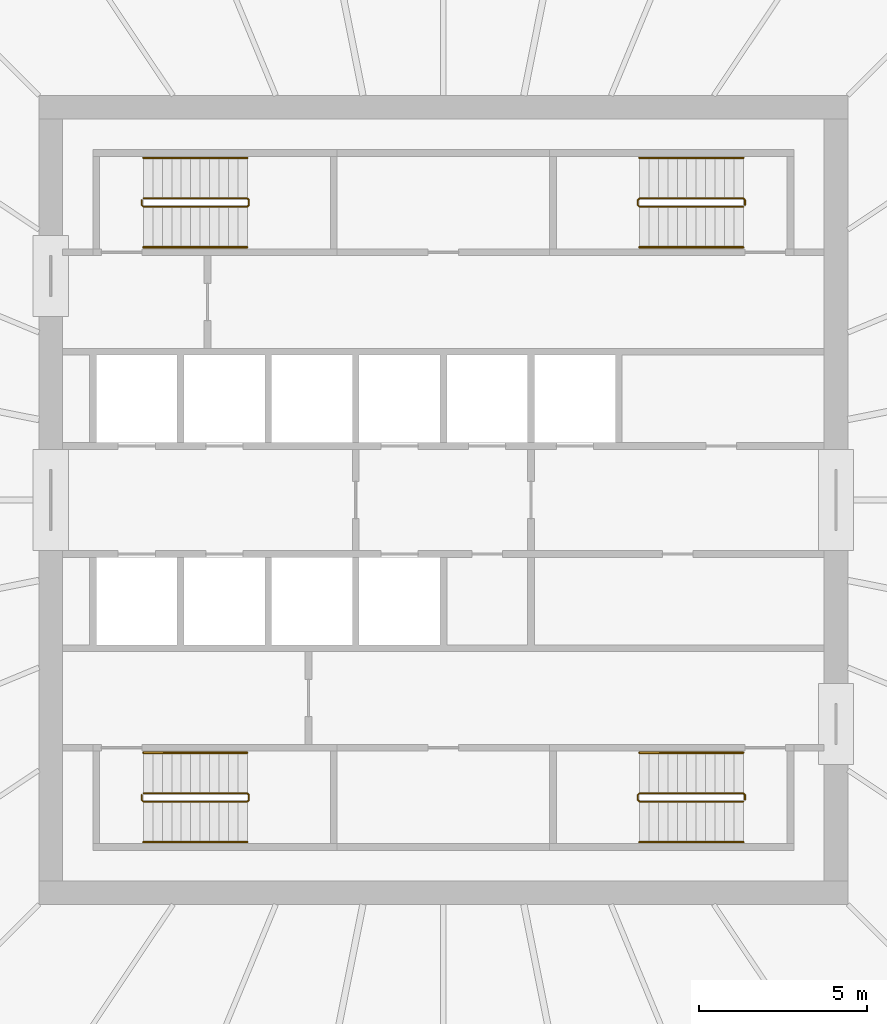
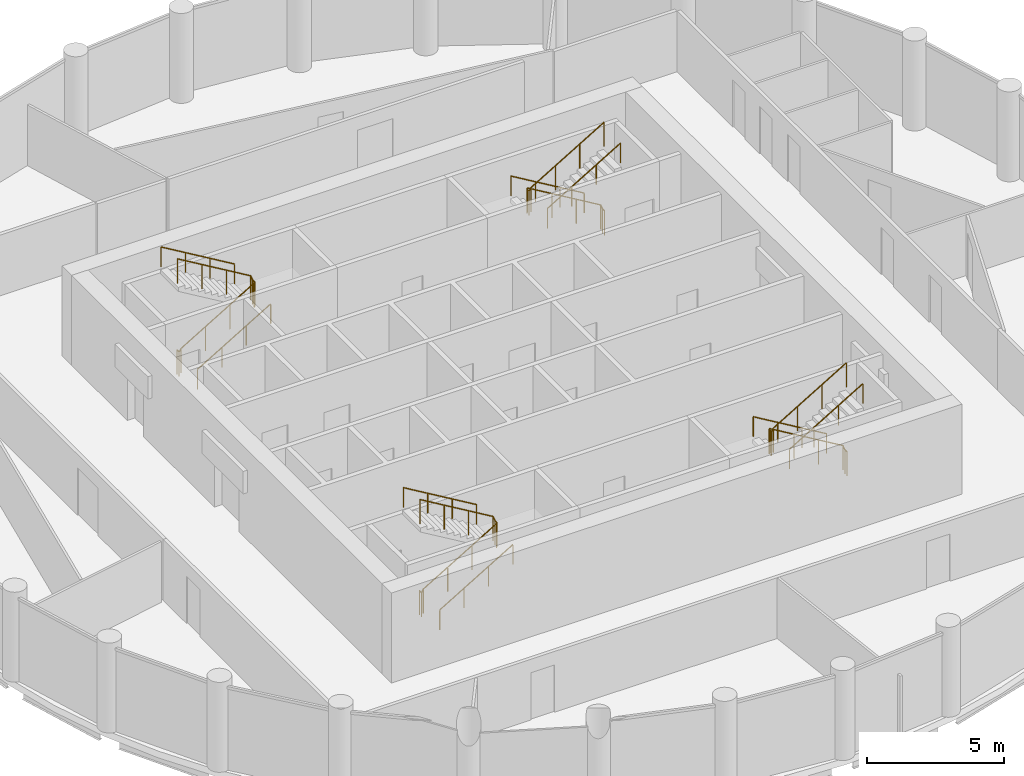
# One storey, part 7 of 7: 12 railings.
"""IFC4 building model written with IfcOpenShell, lengths in metres."""

import ifcopenshell
import ifcopenshell.guid

model = None  # the IFC model being written
_history = None  # IfcOwnerHistory: only IFC2X3 demands one
_inside = {}  # id of a spatial element -> (the spatial element, [elements in it])
_under = {}  # id of a project, library or spatial element -> (it, [spatial elements below it])
_declared = {}  # id of a project -> (the project, [libraries it declares])
_typed = {}  # id of a type object -> (the type object, [elements of that type])
_made_of = {}  # id of a material, layer set ... -> (it, [elements and type objects made of it])


def new_model(schema):
    """Start an empty IFC model of exactly this schema.

    Asked for "IFC4X3", IfcOpenShell would pick the latest addendum, in which some entities
    have other attributes; the version numbers below select the first issue.
    IFC2X3 requires an IfcOwnerHistory on every rooted entity: one is made here for all.
    """
    global model, _history
    if schema == "IFC4X3":
        model = ifcopenshell.file(schema_version=(4, 3, 0, 0))
    else:
        model = ifcopenshell.file(schema=schema)
    _inside.clear()
    _under.clear()
    _declared.clear()
    _typed.clear()
    _made_of.clear()
    _history = None
    if model.schema == "IFC2X3":
        org = make("IfcOrganization", Name="unknown")
        user = make(
            "IfcPersonAndOrganization",
            ThePerson=make("IfcPerson", FamilyName="unknown"),
            TheOrganization=org,
        )
        app = make(
            "IfcApplication",
            ApplicationDeveloper=org,
            Version="unknown",
            ApplicationFullName="unknown",
            ApplicationIdentifier="unknown",
        )
        _history = make(
            "IfcOwnerHistory",
            OwningUser=user,
            OwningApplication=app,
            ChangeAction="ADDED",
            CreationDate=0,
        )
    return model


def make(cls, **values):
    """One entity of the class cls with the attributes given. An attribute that is None is left unset."""
    return model.create_entity(
        cls, **{name: value for name, value in values.items() if value is not None}
    )


def rooted(cls, **values):
    """An entity with a GlobalId (a new one), such as an element, a storey or a relation."""
    return make(cls, GlobalId=ifcopenshell.guid.new(), OwnerHistory=_history, **values)


def si_unit(unit_type, name, prefix=None):
    """IfcSIUnit, for example si_unit("LENGTHUNIT", "METRE", prefix="MILLI")."""
    return make("IfcSIUnit", UnitType=unit_type, Prefix=prefix, Name=name)


def assignment(units):
    """IfcUnitAssignment: the units of a project."""
    return None if units is None else make("IfcUnitAssignment", Units=units)


def point(xyz):
    """IfcCartesianPoint."""
    return None if xyz is None else make("IfcCartesianPoint", Coordinates=xyz)


def direction(xyz):
    """IfcDirection."""
    return None if xyz is None else make("IfcDirection", DirectionRatios=xyz)


def frame(location, z_axis=None, x_axis=None):
    """IfcAxis2Placement3D, a coordinate frame: its origin and axes. An axis left out is left unset."""
    return make(
        "IfcAxis2Placement3D",
        Location=point(location),
        Axis=direction(z_axis),
        RefDirection=direction(x_axis),
    )


def frame_2d(location, x_axis=None):
    """IfcAxis2Placement2D, a coordinate frame in the plane: its origin and x axis."""
    return make(
        "IfcAxis2Placement2D", Location=point(location), RefDirection=direction(x_axis)
    )


def origin():
    """The frame at (0, 0, 0) with its axes left unset."""
    return frame((0.0, 0.0, 0.0))


def origin_2d():
    """The frame at (0, 0) in the plane with its x axis left unset."""
    return frame_2d((0.0, 0.0))


def place(relative_to, where):
    """IfcLocalPlacement: puts the frame where relative to a parent placement (None: the world)."""
    return make(
        "IfcLocalPlacement", PlacementRelTo=relative_to, RelativePlacement=where
    )


def context(
    kind, dimensions, precision=None, world=None, true_north=None, identifier=None
):
    """IfcGeometricRepresentationContext, for example the 3D "Model" context."""
    return make(
        "IfcGeometricRepresentationContext",
        ContextIdentifier=identifier,
        ContextType=kind,
        CoordinateSpaceDimension=dimensions,
        Precision=precision,
        WorldCoordinateSystem=world,
        TrueNorth=true_north,
    )


def subcontext(parent, identifier, kind, view, scale=None):
    """IfcGeometricRepresentationSubContext, for example "Body" below "Model"."""
    return make(
        "IfcGeometricRepresentationSubContext",
        ContextIdentifier=identifier,
        ContextType=kind,
        ParentContext=parent,
        TargetScale=scale,
        TargetView=view,
    )


def project(units=None, contexts=None):
    """IfcProject with its units and contexts."""
    return rooted(
        "IfcProject",
        Name="project",
        RepresentationContexts=contexts,
        UnitsInContext=assignment(units),
    )


def spatial(cls, under=None, at=None, **own):
    """A site, building, storey or space (cls), placed at a placement, below another one or the project."""
    s = rooted(cls, ObjectPlacement=at, **own)
    if under is not None:
        _under.setdefault(under.id(), (under, []))[1].append(s)
    return s


def profile(cls, at=None, kind="AREA", **sizes):
    """A parametric profile (cls). Its sizes go by their IFC names, for example OverallWidth=200.0."""
    return make(cls, ProfileType=kind, Position=at, **sizes)


def circle(**sizes):
    """IfcCircleProfileDef."""
    return profile("IfcCircleProfileDef", **sizes)


def extrude(swept, where, along, depth):
    """IfcExtrudedAreaSolid: the profile swept, set in the frame where, extruded along a direction by depth."""
    return make(
        "IfcExtrudedAreaSolid",
        SweptArea=swept,
        Position=where,
        ExtrudedDirection=direction(along),
        Depth=depth,
    )


def shape(context_of_items, identifier, shape_type, items):
    """IfcShapeRepresentation: the items that make up one representation, for example the "Body"."""
    return make(
        "IfcShapeRepresentation",
        ContextOfItems=context_of_items,
        RepresentationIdentifier=identifier,
        RepresentationType=shape_type,
        Items=items,
    )


def material(Name=None, Category=None):
    """IfcMaterial."""
    return make("IfcMaterial", Name=Name, Category=Category)


def made_of(thing, what):
    """Note that an element or type object is made of a material, layer set ...; save() writes the relation."""
    if what is not None:
        _made_of.setdefault(what.id(), (what, []))[1].append(thing)
    return thing


def type_object(cls, material=None, **own):
    """A type object (cls), such as IfcWallType, which elements share."""
    return made_of(rooted(cls, **own), material)


def element(
    cls,
    number,
    at=None,
    inside=None,
    cuts=None,
    type_object=None,
    material=None,
    context=None,
    identifier="Body",
    shape_type=None,
    held_by="IfcProductDefinitionShape",
    body=None,
    shapes=None,
    **own,
):
    """One element of the class cls, such as IfcWall. Its Tag is "e" and its number.

    at: its placement. inside: the storey or other place that contains it. cuts: it is an
    opening in that element (IfcRelVoidsElement). A single representation is given by context,
    identifier, shape_type and body (its items); several are given by shapes. held_by: the class
    of the entity that holds the representations. save() writes the other relations.
    """
    e = rooted(cls, Tag="e%d" % number, ObjectPlacement=at, **own)
    if body is not None:
        shapes = [shape(context, identifier, shape_type, body)]
    if shapes is not None:
        e.Representation = make(held_by, Representations=shapes)
    if inside is not None:
        _inside.setdefault(inside.id(), (inside, []))[1].append(e)
    if cuts is not None:
        rooted(
            "IfcRelVoidsElement", RelatingBuildingElement=cuts, RelatedOpeningElement=e
        )
    if type_object is not None:
        _typed.setdefault(type_object.id(), (type_object, []))[1].append(e)
    return made_of(e, material)


def aggregate(whole, parts):
    """IfcRelAggregates: a whole, such as a stair, and the parts it consists of."""
    return rooted("IfcRelAggregates", RelatingObject=whole, RelatedObjects=parts)


def save(model, path):
    """Write the relations noted so far, then the file.

    IfcRelAggregates (storeys below a building ...), IfcRelContainedInSpatialStructure (elements
    in a storey), IfcRelDefinesByType, IfcRelAssociatesMaterial and IfcRelDeclares: one each for
    every whole, place, type object, material and project.
    """
    for whole, parts in _under.values():
        aggregate(whole, parts)
    for where, things in _inside.values():
        rooted(
            "IfcRelContainedInSpatialStructure",
            RelatedElements=things,
            RelatingStructure=where,
        )
    for kind, things in _typed.values():
        rooted("IfcRelDefinesByType", RelatedObjects=things, RelatingType=kind)
    for what, things in _made_of.values():
        rooted("IfcRelAssociatesMaterial", RelatedObjects=things, RelatingMaterial=what)
    for by, libraries in _declared.values():
        rooted("IfcRelDeclares", RelatingContext=by, RelatedDefinitions=libraries)
    model.write(path)


model = new_model("IFC4")

# Units and contexts
model_context = context("Model", 3, precision=1e-05, world=origin(), true_north=direction((0.0, 1.0)))
body_context = subcontext(model_context, "Body", "Model", "MODEL_VIEW")
ifc_project = project(units=[si_unit("LENGTHUNIT", "METRE"), si_unit("AREAUNIT", "SQUARE_METRE"), si_unit("VOLUMEUNIT", "CUBIC_METRE"), si_unit("PLANEANGLEUNIT", "RADIAN"), si_unit("MASSUNIT", "GRAM", prefix="KILO")], contexts=[model_context])

# Site, building, storey
site_placement = place(None, origin())
site = spatial("IfcSite", under=ifc_project, at=site_placement, CompositionType="ELEMENT")
building_placement = place(site_placement, origin())
building = spatial("IfcBuilding", under=site, at=building_placement, Name="Corvane Civic Tower", CompositionType="ELEMENT")
storey_placement = place(building_placement, frame((0.0, 0.0, 291.0)))
storey = spatial("IfcBuildingStorey", under=building, at=storey_placement, Name="L69", CompositionType="ELEMENT", Elevation=291.0)

# Railings
ifc_material_1 = material(Name="Steel ASTM A572 Gr 50", Category="steel")
railing_type_1 = type_object("IfcRailingType", Name="ST-GUARD-1100", PredefinedType="GUARDRAIL", material=ifc_material_1)
railing_1_placement = place(storey_placement, frame((8.949951171875, 8.75, 0.0)))
element("IfcRailing", 1, at=railing_1_placement, inside=storey, type_object=railing_type_1, Name="L69 ST1 stair guard 1", PredefinedType="GUARDRAIL", context=body_context, shape_type="SweptSolid", body=[
    extrude(circle(Radius=0.02392578125, at=origin_2d()), frame((0.0, 0.0, 1.076171875), z_axis=(0.0, 1.0, 0.0), x_axis=(-1.0, 0.0, 0.0)), (0.0, 0.0, 1.0), 0.14990234375),
    extrude(circle(Radius=0.02392578125, at=origin_2d()), frame((0.0, 0.14990234375, 1.076171875), z_axis=(-0.27628659633, 0.27628659633, 0.920506074601), x_axis=(-0.707106781187, -0.707106781187, 0.0)), (0.0, 0.0, 1.0), 0.18115234375),
    extrude(circle(Radius=0.02392578125, at=origin_2d()), frame((-0.050048828125, 0.199951171875, 1.24267578125), z_axis=(-0.859290745958, 0.0, 0.51148745235), x_axis=(0.0, -1.0, 0.0)), (0.0, 0.0, 1.0), 3.584228515625),
    extrude(circle(Radius=0.02392578125, at=origin_2d()), frame((-3.1298828125, 0.199951171875, 3.076171875), z_axis=(-0.707106781187, -0.707106781187, 0.0), x_axis=(0.707106781187, -0.707106781187, 0.0)), (0.0, 0.0, 1.0), 0.07080078125),
    extrude(circle(Radius=0.02392578125, at=origin_2d()), frame((-3.179931640625, 0.14990234375, 3.076171875), z_axis=(0.0, -1.0, 0.0), x_axis=(1.0, 0.0, 0.0)), (0.0, 0.0, 1.0), 0.14990234375),
    extrude(circle(Radius=0.02392578125, at=origin_2d()), frame((-3.179931640625, 0.0, 3.076171875), z_axis=(0.27628659633, -0.27628659633, 0.920506074601), x_axis=(0.707106781187, 0.707106781187, 0.0)), (0.0, 0.0, 1.0), 0.18115234375),
    extrude(circle(Radius=0.02392578125, at=origin_2d()), frame((-3.1298828125, -0.050048828125, 3.24267578125), z_axis=(0.859290745958, 0.0, 0.51148745235), x_axis=(0.0, 1.0, 0.0)), (0.0, 0.0, 1.0), 3.584228515625),
    extrude(circle(Radius=0.02099609375, at=origin_2d()), origin(), (0.0, 0.0, 1.0), 1.052001953125),
    extrude(circle(Radius=0.02099609375, at=origin_2d()), frame((0.0, 0.14990234375, 0.0)), (0.0, 0.0, 1.0), 1.052001953125),
    extrude(circle(Radius=0.02099609375, at=origin_2d()), frame((-0.050048828125, 0.199951171875, 0.166748046875)), (0.0, 0.0, 1.0), 1.052001953125),
    extrude(circle(Radius=0.02099609375, at=origin_2d()), frame((-1.07666015625, 0.199951171875, 0.77783203125)), (0.0, 0.0, 1.0), 1.052001953125),
    extrude(circle(Radius=0.02099609375, at=origin_2d()), frame((-2.103271484375, 0.199951171875, 1.388916015625)), (0.0, 0.0, 1.0), 1.052001953125),
    extrude(circle(Radius=0.02099609375, at=origin_2d()), frame((-3.1298828125, 0.199951171875, 2.0)), (0.0, 0.0, 1.0), 1.052001953125),
    extrude(circle(Radius=0.02099609375, at=origin_2d()), frame((-3.179931640625, 0.14990234375, 2.0)), (0.0, 0.0, 1.0), 1.052001953125),
    extrude(circle(Radius=0.02099609375, at=origin_2d()), frame((-3.179931640625, 0.0, 2.0)), (0.0, 0.0, 1.0), 1.052001953125),
    extrude(circle(Radius=0.02099609375, at=origin_2d()), frame((-3.1298828125, -0.050048828125, 2.166748046875)), (0.0, 0.0, 1.0), 1.052001953125),
    extrude(circle(Radius=0.02099609375, at=origin_2d()), frame((-2.103271484375, -0.050048828125, 2.77783203125)), (0.0, 0.0, 1.0), 1.052001953125),
    extrude(circle(Radius=0.02099609375, at=origin_2d()), frame((-1.07666015625, -0.050048828125, 3.388916015625)), (0.0, 0.0, 1.0), 1.052001953125),
    extrude(circle(Radius=0.02099609375, at=origin_2d()), frame((-0.050048828125, -0.050048828125, 4.0)), (0.0, 0.0, 1.0), 1.052001953125),
])
railing_2_placement = place(storey_placement, frame((8.949951171875, -8.89990234375, 0.0)))
element("IfcRailing", 2, at=railing_2_placement, inside=storey, type_object=railing_type_1, Name="L69 ST2 stair guard 1", PredefinedType="GUARDRAIL", context=body_context, shape_type="SweptSolid", body=[
    extrude(circle(Radius=0.02392578125, at=origin_2d()), frame((0.0, 0.0, 1.076171875), z_axis=(0.0, 1.0, 0.0), x_axis=(-1.0, 0.0, 0.0)), (0.0, 0.0, 1.0), 0.14990234375),
    extrude(circle(Radius=0.02392578125, at=origin_2d()), frame((0.0, 0.14990234375, 1.076171875), z_axis=(-0.27628659633, 0.27628659633, 0.920506074601), x_axis=(-0.707106781187, -0.707106781187, 0.0)), (0.0, 0.0, 1.0), 0.18115234375),
    extrude(circle(Radius=0.02392578125, at=origin_2d()), frame((-0.050048828125, 0.199951171875, 1.24267578125), z_axis=(-0.859290745958, 0.0, 0.51148745235), x_axis=(0.0, -1.0, 0.0)), (0.0, 0.0, 1.0), 3.584228515625),
    extrude(circle(Radius=0.02392578125, at=origin_2d()), frame((-3.1298828125, 0.199951171875, 3.076171875), z_axis=(-0.707106781187, -0.707106781187, 0.0), x_axis=(0.707106781187, -0.707106781187, 0.0)), (0.0, 0.0, 1.0), 0.07080078125),
    extrude(circle(Radius=0.02392578125, at=origin_2d()), frame((-3.179931640625, 0.14990234375, 3.076171875), z_axis=(0.0, -1.0, 0.0), x_axis=(1.0, 0.0, 0.0)), (0.0, 0.0, 1.0), 0.14990234375),
    extrude(circle(Radius=0.02392578125, at=origin_2d()), frame((-3.179931640625, 0.0, 3.076171875), z_axis=(0.27628659633, -0.27628659633, 0.920506074601), x_axis=(0.707106781187, 0.707106781187, 0.0)), (0.0, 0.0, 1.0), 0.18115234375),
    extrude(circle(Radius=0.02392578125, at=origin_2d()), frame((-3.1298828125, -0.050048828125, 3.24267578125), z_axis=(0.859290745958, 0.0, 0.51148745235), x_axis=(0.0, 1.0, 0.0)), (0.0, 0.0, 1.0), 3.584228515625),
    extrude(circle(Radius=0.02099609375, at=origin_2d()), origin(), (0.0, 0.0, 1.0), 1.052001953125),
    extrude(circle(Radius=0.02099609375, at=origin_2d()), frame((0.0, 0.14990234375, 0.0)), (0.0, 0.0, 1.0), 1.052001953125),
    extrude(circle(Radius=0.02099609375, at=origin_2d()), frame((-0.050048828125, 0.199951171875, 0.166748046875)), (0.0, 0.0, 1.0), 1.052001953125),
    extrude(circle(Radius=0.02099609375, at=origin_2d()), frame((-1.07666015625, 0.199951171875, 0.77783203125)), (0.0, 0.0, 1.0), 1.052001953125),
    extrude(circle(Radius=0.02099609375, at=origin_2d()), frame((-2.103271484375, 0.199951171875, 1.388916015625)), (0.0, 0.0, 1.0), 1.052001953125),
    extrude(circle(Radius=0.02099609375, at=origin_2d()), frame((-3.1298828125, 0.199951171875, 2.0)), (0.0, 0.0, 1.0), 1.052001953125),
    extrude(circle(Radius=0.02099609375, at=origin_2d()), frame((-3.179931640625, 0.14990234375, 2.0)), (0.0, 0.0, 1.0), 1.052001953125),
    extrude(circle(Radius=0.02099609375, at=origin_2d()), frame((-3.179931640625, 0.0, 2.0)), (0.0, 0.0, 1.0), 1.052001953125),
    extrude(circle(Radius=0.02099609375, at=origin_2d()), frame((-3.1298828125, -0.050048828125, 2.166748046875)), (0.0, 0.0, 1.0), 1.052001953125),
    extrude(circle(Radius=0.02099609375, at=origin_2d()), frame((-2.103271484375, -0.050048828125, 2.77783203125)), (0.0, 0.0, 1.0), 1.052001953125),
    extrude(circle(Radius=0.02099609375, at=origin_2d()), frame((-1.07666015625, -0.050048828125, 3.388916015625)), (0.0, 0.0, 1.0), 1.052001953125),
    extrude(circle(Radius=0.02099609375, at=origin_2d()), frame((-0.050048828125, -0.050048828125, 4.0)), (0.0, 0.0, 1.0), 1.052001953125),
])
railing_3_placement = place(storey_placement, frame((-8.949951171875, -8.75, 0.0)))
element("IfcRailing", 3, at=railing_3_placement, inside=storey, type_object=railing_type_1, Name="L69 ST3 stair guard 1", PredefinedType="GUARDRAIL", context=body_context, shape_type="SweptSolid", body=[
    extrude(circle(Radius=0.02392578125, at=origin_2d()), frame((0.0, 0.0, 1.076171875), z_axis=(0.0, -1.0, 0.0), x_axis=(1.0, 0.0, 0.0)), (0.0, 0.0, 1.0), 0.14990234375),
    extrude(circle(Radius=0.02392578125, at=origin_2d()), frame((0.0, -0.14990234375, 1.076171875), z_axis=(0.27628659633, -0.27628659633, 0.920506074601), x_axis=(0.707106781187, 0.707106781187, 0.0)), (0.0, 0.0, 1.0), 0.18115234375),
    extrude(circle(Radius=0.02392578125, at=origin_2d()), frame((0.050048828125, -0.199951171875, 1.24267578125), z_axis=(0.859290745958, 0.0, 0.51148745235), x_axis=(0.0, 1.0, 0.0)), (0.0, 0.0, 1.0), 3.584228515625),
    extrude(circle(Radius=0.02392578125, at=origin_2d()), frame((3.1298828125, -0.199951171875, 3.076171875), z_axis=(0.707106781187, 0.707106781187, 0.0), x_axis=(-0.707106781187, 0.707106781187, 0.0)), (0.0, 0.0, 1.0), 0.07080078125),
    extrude(circle(Radius=0.02392578125, at=origin_2d()), frame((3.179931640625, -0.14990234375, 3.076171875), z_axis=(0.0, 1.0, 0.0), x_axis=(-1.0, 0.0, 0.0)), (0.0, 0.0, 1.0), 0.14990234375),
    extrude(circle(Radius=0.02392578125, at=origin_2d()), frame((3.179931640625, 0.0, 3.076171875), z_axis=(-0.27628659633, 0.27628659633, 0.920506074601), x_axis=(-0.707106781187, -0.707106781187, 0.0)), (0.0, 0.0, 1.0), 0.18115234375),
    extrude(circle(Radius=0.02392578125, at=origin_2d()), frame((3.1298828125, 0.050048828125, 3.24267578125), z_axis=(-0.859290745958, 0.0, 0.51148745235), x_axis=(0.0, -1.0, 0.0)), (0.0, 0.0, 1.0), 3.584228515625),
    extrude(circle(Radius=0.02099609375, at=origin_2d()), origin(), (0.0, 0.0, 1.0), 1.052001953125),
    extrude(circle(Radius=0.02099609375, at=origin_2d()), frame((0.0, -0.14990234375, 0.0)), (0.0, 0.0, 1.0), 1.052001953125),
    extrude(circle(Radius=0.02099609375, at=origin_2d()), frame((0.050048828125, -0.199951171875, 0.166748046875)), (0.0, 0.0, 1.0), 1.052001953125),
    extrude(circle(Radius=0.02099609375, at=origin_2d()), frame((1.07666015625, -0.199951171875, 0.77783203125)), (0.0, 0.0, 1.0), 1.052001953125),
    extrude(circle(Radius=0.02099609375, at=origin_2d()), frame((2.103271484375, -0.199951171875, 1.388916015625)), (0.0, 0.0, 1.0), 1.052001953125),
    extrude(circle(Radius=0.02099609375, at=origin_2d()), frame((3.1298828125, -0.199951171875, 2.0)), (0.0, 0.0, 1.0), 1.052001953125),
    extrude(circle(Radius=0.02099609375, at=origin_2d()), frame((3.179931640625, -0.14990234375, 2.0)), (0.0, 0.0, 1.0), 1.052001953125),
    extrude(circle(Radius=0.02099609375, at=origin_2d()), frame((3.179931640625, 0.0, 2.0)), (0.0, 0.0, 1.0), 1.052001953125),
    extrude(circle(Radius=0.02099609375, at=origin_2d()), frame((3.1298828125, 0.050048828125, 2.166748046875)), (0.0, 0.0, 1.0), 1.052001953125),
    extrude(circle(Radius=0.02099609375, at=origin_2d()), frame((2.103271484375, 0.050048828125, 2.77783203125)), (0.0, 0.0, 1.0), 1.052001953125),
    extrude(circle(Radius=0.02099609375, at=origin_2d()), frame((1.07666015625, 0.050048828125, 3.388916015625)), (0.0, 0.0, 1.0), 1.052001953125),
    extrude(circle(Radius=0.02099609375, at=origin_2d()), frame((0.050048828125, 0.050048828125, 4.0)), (0.0, 0.0, 1.0), 1.052001953125),
])
railing_4_placement = place(storey_placement, frame((-8.949951171875, 8.89990234375, 0.0)))
element("IfcRailing", 4, at=railing_4_placement, inside=storey, type_object=railing_type_1, Name="L69 ST4 stair guard 1", PredefinedType="GUARDRAIL", context=body_context, shape_type="SweptSolid", body=[
    extrude(circle(Radius=0.02392578125, at=origin_2d()), frame((0.0, 0.0, 1.076171875), z_axis=(0.0, -1.0, 0.0), x_axis=(1.0, 0.0, 0.0)), (0.0, 0.0, 1.0), 0.14990234375),
    extrude(circle(Radius=0.02392578125, at=origin_2d()), frame((0.0, -0.14990234375, 1.076171875), z_axis=(0.27628659633, -0.27628659633, 0.920506074601), x_axis=(0.707106781187, 0.707106781187, 0.0)), (0.0, 0.0, 1.0), 0.18115234375),
    extrude(circle(Radius=0.02392578125, at=origin_2d()), frame((0.050048828125, -0.199951171875, 1.24267578125), z_axis=(0.859290745958, 0.0, 0.51148745235), x_axis=(0.0, 1.0, 0.0)), (0.0, 0.0, 1.0), 3.584228515625),
    extrude(circle(Radius=0.02392578125, at=origin_2d()), frame((3.1298828125, -0.199951171875, 3.076171875), z_axis=(0.707106781187, 0.707106781187, 0.0), x_axis=(-0.707106781187, 0.707106781187, 0.0)), (0.0, 0.0, 1.0), 0.07080078125),
    extrude(circle(Radius=0.02392578125, at=origin_2d()), frame((3.179931640625, -0.14990234375, 3.076171875), z_axis=(0.0, 1.0, 0.0), x_axis=(-1.0, 0.0, 0.0)), (0.0, 0.0, 1.0), 0.14990234375),
    extrude(circle(Radius=0.02392578125, at=origin_2d()), frame((3.179931640625, 0.0, 3.076171875), z_axis=(-0.27628659633, 0.27628659633, 0.920506074601), x_axis=(-0.707106781187, -0.707106781187, 0.0)), (0.0, 0.0, 1.0), 0.18115234375),
    extrude(circle(Radius=0.02392578125, at=origin_2d()), frame((3.1298828125, 0.050048828125, 3.24267578125), z_axis=(-0.859290745958, 0.0, 0.51148745235), x_axis=(0.0, -1.0, 0.0)), (0.0, 0.0, 1.0), 3.584228515625),
    extrude(circle(Radius=0.02099609375, at=origin_2d()), origin(), (0.0, 0.0, 1.0), 1.052001953125),
    extrude(circle(Radius=0.02099609375, at=origin_2d()), frame((0.0, -0.14990234375, 0.0)), (0.0, 0.0, 1.0), 1.052001953125),
    extrude(circle(Radius=0.02099609375, at=origin_2d()), frame((0.050048828125, -0.199951171875, 0.166748046875)), (0.0, 0.0, 1.0), 1.052001953125),
    extrude(circle(Radius=0.02099609375, at=origin_2d()), frame((1.07666015625, -0.199951171875, 0.77783203125)), (0.0, 0.0, 1.0), 1.052001953125),
    extrude(circle(Radius=0.02099609375, at=origin_2d()), frame((2.103271484375, -0.199951171875, 1.388916015625)), (0.0, 0.0, 1.0), 1.052001953125),
    extrude(circle(Radius=0.02099609375, at=origin_2d()), frame((3.1298828125, -0.199951171875, 2.0)), (0.0, 0.0, 1.0), 1.052001953125),
    extrude(circle(Radius=0.02099609375, at=origin_2d()), frame((3.179931640625, -0.14990234375, 2.0)), (0.0, 0.0, 1.0), 1.052001953125),
    extrude(circle(Radius=0.02099609375, at=origin_2d()), frame((3.179931640625, 0.0, 2.0)), (0.0, 0.0, 1.0), 1.052001953125),
    extrude(circle(Radius=0.02099609375, at=origin_2d()), frame((3.1298828125, 0.050048828125, 2.166748046875)), (0.0, 0.0, 1.0), 1.052001953125),
    extrude(circle(Radius=0.02099609375, at=origin_2d()), frame((2.103271484375, 0.050048828125, 2.77783203125)), (0.0, 0.0, 1.0), 1.052001953125),
    extrude(circle(Radius=0.02099609375, at=origin_2d()), frame((1.07666015625, 0.050048828125, 3.388916015625)), (0.0, 0.0, 1.0), 1.052001953125),
    extrude(circle(Radius=0.02099609375, at=origin_2d()), frame((0.050048828125, 0.050048828125, 4.0)), (0.0, 0.0, 1.0), 1.052001953125),
])
ifc_material_2 = material(Name="Steel ASTM A572 Gr 50", Category="steel")
railing_type_2 = type_object("IfcRailingType", Name="ST-HANDRAIL-900", PredefinedType="HANDRAIL", material=ifc_material_2)
railing_5_placement = place(storey_placement, frame((8.89990234375, 10.14990234375, 0.166748046875)))
element("IfcRailing", 5, at=railing_5_placement, inside=storey, type_object=railing_type_2, Name="L69 ST1 stair handrail 1", PredefinedType="HANDRAIL", context=body_context, shape_type="SweptSolid", body=[
    extrude(circle(Radius=0.02392578125, at=origin_2d()), frame((0.0, 0.0, 0.8759765625), z_axis=(-0.859290745958, 0.0, 0.51148745235), x_axis=(0.0, -1.0, 0.0)), (0.0, 0.0, 1.0), 3.584228515625),
    extrude(circle(Radius=0.02099609375, at=origin_2d()), origin(), (0.0, 0.0, 1.0), 0.851806640625),
    extrude(circle(Radius=0.02099609375, at=origin_2d()), frame((-1.026611328125, 0.0, 0.611083984375)), (0.0, 0.0, 1.0), 0.851806640625),
    extrude(circle(Radius=0.02099609375, at=origin_2d()), frame((-2.05322265625, 0.0, 1.22216796875)), (0.0, 0.0, 1.0), 0.851806640625),
    extrude(circle(Radius=0.02099609375, at=origin_2d()), frame((-3.079833984375, 0.0, 1.833251953125)), (0.0, 0.0, 1.0), 0.851806640625),
])
railing_6_placement = place(storey_placement, frame((5.820068359375, 7.5, 2.166748046875)))
element("IfcRailing", 6, at=railing_6_placement, inside=storey, type_object=railing_type_2, Name="L69 ST1 stair handrail 2", PredefinedType="HANDRAIL", context=body_context, shape_type="SweptSolid", body=[
    extrude(circle(Radius=0.02392578125, at=origin_2d()), frame((0.0, 0.0, 0.8759765625), z_axis=(0.859290745958, 0.0, 0.51148745235), x_axis=(0.0, 1.0, 0.0)), (0.0, 0.0, 1.0), 3.584228515625),
    extrude(circle(Radius=0.02099609375, at=origin_2d()), origin(), (0.0, 0.0, 1.0), 0.851806640625),
    extrude(circle(Radius=0.02099609375, at=origin_2d()), frame((1.026611328125, 0.0, 0.611083984375)), (0.0, 0.0, 1.0), 0.851806640625),
    extrude(circle(Radius=0.02099609375, at=origin_2d()), frame((2.05322265625, 0.0, 1.22216796875)), (0.0, 0.0, 1.0), 0.851806640625),
    extrude(circle(Radius=0.02099609375, at=origin_2d()), frame((3.079833984375, 0.0, 1.833251953125)), (0.0, 0.0, 1.0), 0.851806640625),
])
railing_7_placement = place(storey_placement, frame((8.89990234375, -7.5, 0.166748046875)))
element("IfcRailing", 7, at=railing_7_placement, inside=storey, type_object=railing_type_2, Name="L69 ST2 stair handrail 1", PredefinedType="HANDRAIL", context=body_context, shape_type="SweptSolid", body=[
    extrude(circle(Radius=0.02392578125, at=origin_2d()), frame((0.0, 0.0, 0.8759765625), z_axis=(-0.859290745958, 0.0, 0.51148745235), x_axis=(0.0, -1.0, 0.0)), (0.0, 0.0, 1.0), 3.584228515625),
    extrude(circle(Radius=0.02099609375, at=origin_2d()), origin(), (0.0, 0.0, 1.0), 0.851806640625),
    extrude(circle(Radius=0.02099609375, at=origin_2d()), frame((-1.026611328125, 0.0, 0.611083984375)), (0.0, 0.0, 1.0), 0.851806640625),
    extrude(circle(Radius=0.02099609375, at=origin_2d()), frame((-2.05322265625, 0.0, 1.22216796875)), (0.0, 0.0, 1.0), 0.851806640625),
    extrude(circle(Radius=0.02099609375, at=origin_2d()), frame((-3.079833984375, 0.0, 1.833251953125)), (0.0, 0.0, 1.0), 0.851806640625),
])
for number, where, name in (
    (8, (5.820068359375, -10.14990234375, 2.166748046875), "L69 ST2 stair handrail 2"),
    (9, (-8.89990234375, -10.14990234375, 0.166748046875), "L69 ST3 stair handrail 1"),
):
    element("IfcRailing", number, at=place(storey_placement, frame(where)), inside=storey, type_object=railing_type_2, Name=name, PredefinedType="HANDRAIL", context=body_context, shape_type="SweptSolid", body=[
        extrude(circle(Radius=0.02392578125, at=origin_2d()), frame((0.0, 0.0, 0.8759765625), z_axis=(0.859290745958, 0.0, 0.51148745235), x_axis=(0.0, 1.0, 0.0)), (0.0, 0.0, 1.0), 3.584228515625),
        extrude(circle(Radius=0.02099609375, at=origin_2d()), origin(), (0.0, 0.0, 1.0), 0.851806640625),
        extrude(circle(Radius=0.02099609375, at=origin_2d()), frame((1.026611328125, 0.0, 0.611083984375)), (0.0, 0.0, 1.0), 0.851806640625),
        extrude(circle(Radius=0.02099609375, at=origin_2d()), frame((2.05322265625, 0.0, 1.22216796875)), (0.0, 0.0, 1.0), 0.851806640625),
        extrude(circle(Radius=0.02099609375, at=origin_2d()), frame((3.079833984375, 0.0, 1.833251953125)), (0.0, 0.0, 1.0), 0.851806640625),
    ])
railing_8_placement = place(storey_placement, frame((-5.820068359375, -7.5, 2.166748046875)))
element("IfcRailing", 10, at=railing_8_placement, inside=storey, type_object=railing_type_2, Name="L69 ST3 stair handrail 2", PredefinedType="HANDRAIL", context=body_context, shape_type="SweptSolid", body=[
    extrude(circle(Radius=0.02392578125, at=origin_2d()), frame((0.0, 0.0, 0.8759765625), z_axis=(-0.859290745958, 0.0, 0.51148745235), x_axis=(0.0, -1.0, 0.0)), (0.0, 0.0, 1.0), 3.584228515625),
    extrude(circle(Radius=0.02099609375, at=origin_2d()), origin(), (0.0, 0.0, 1.0), 0.851806640625),
    extrude(circle(Radius=0.02099609375, at=origin_2d()), frame((-1.026611328125, 0.0, 0.611083984375)), (0.0, 0.0, 1.0), 0.851806640625),
    extrude(circle(Radius=0.02099609375, at=origin_2d()), frame((-2.05322265625, 0.0, 1.22216796875)), (0.0, 0.0, 1.0), 0.851806640625),
    extrude(circle(Radius=0.02099609375, at=origin_2d()), frame((-3.079833984375, 0.0, 1.833251953125)), (0.0, 0.0, 1.0), 0.851806640625),
])
railing_9_placement = place(storey_placement, frame((-8.89990234375, 7.5, 0.166748046875)))
element("IfcRailing", 11, at=railing_9_placement, inside=storey, type_object=railing_type_2, Name="L69 ST4 stair handrail 1", PredefinedType="HANDRAIL", context=body_context, shape_type="SweptSolid", body=[
    extrude(circle(Radius=0.02392578125, at=origin_2d()), frame((0.0, 0.0, 0.8759765625), z_axis=(0.859290745958, 0.0, 0.51148745235), x_axis=(0.0, 1.0, 0.0)), (0.0, 0.0, 1.0), 3.584228515625),
    extrude(circle(Radius=0.02099609375, at=origin_2d()), origin(), (0.0, 0.0, 1.0), 0.851806640625),
    extrude(circle(Radius=0.02099609375, at=origin_2d()), frame((1.026611328125, 0.0, 0.611083984375)), (0.0, 0.0, 1.0), 0.851806640625),
    extrude(circle(Radius=0.02099609375, at=origin_2d()), frame((2.05322265625, 0.0, 1.22216796875)), (0.0, 0.0, 1.0), 0.851806640625),
    extrude(circle(Radius=0.02099609375, at=origin_2d()), frame((3.079833984375, 0.0, 1.833251953125)), (0.0, 0.0, 1.0), 0.851806640625),
])
railing_10_placement = place(storey_placement, frame((-5.820068359375, 10.14990234375, 2.166748046875)))
element("IfcRailing", 12, at=railing_10_placement, inside=storey, type_object=railing_type_2, Name="L69 ST4 stair handrail 2", PredefinedType="HANDRAIL", context=body_context, shape_type="SweptSolid", body=[
    extrude(circle(Radius=0.02392578125, at=origin_2d()), frame((0.0, 0.0, 0.8759765625), z_axis=(-0.859290745958, 0.0, 0.51148745235), x_axis=(0.0, -1.0, 0.0)), (0.0, 0.0, 1.0), 3.584228515625),
    extrude(circle(Radius=0.02099609375, at=origin_2d()), origin(), (0.0, 0.0, 1.0), 0.851806640625),
    extrude(circle(Radius=0.02099609375, at=origin_2d()), frame((-1.026611328125, 0.0, 0.611083984375)), (0.0, 0.0, 1.0), 0.851806640625),
    extrude(circle(Radius=0.02099609375, at=origin_2d()), frame((-2.05322265625, 0.0, 1.22216796875)), (0.0, 0.0, 1.0), 0.851806640625),
    extrude(circle(Radius=0.02099609375, at=origin_2d()), frame((-3.079833984375, 0.0, 1.833251953125)), (0.0, 0.0, 1.0), 0.851806640625),
])

save(model, "model.ifc")
